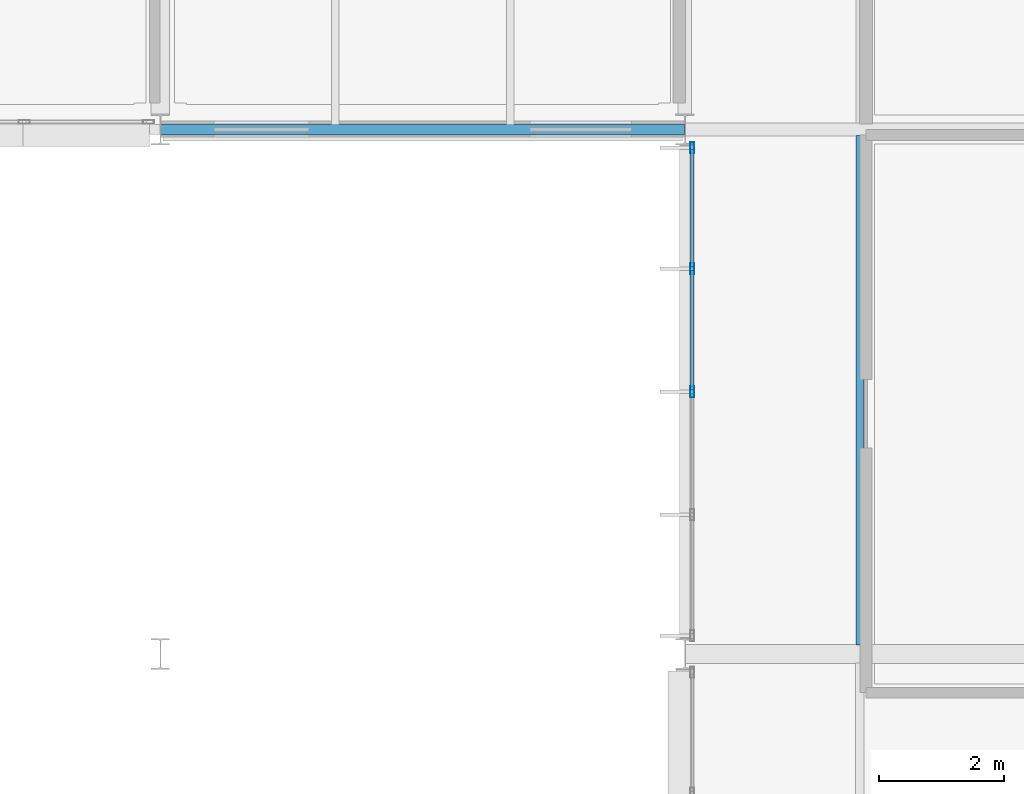
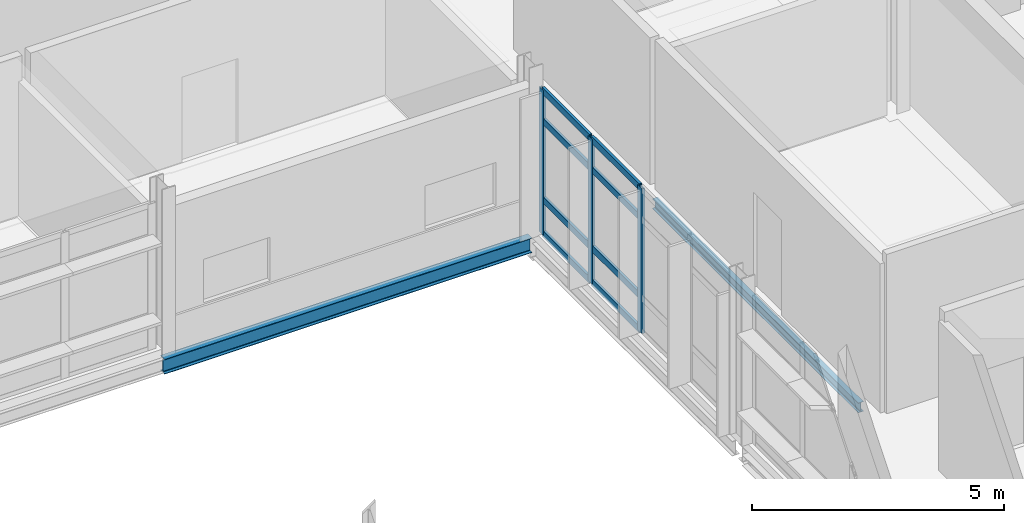
# One storey, part 92 of 131: 11 members, 2 beams, 1 element without a shape of its own.
"""IFC4 building model written with IfcOpenShell, lengths in metres."""

from ifc_helpers import new_model, si_unit, direction, frame, origin, origin_2d, place, context, subcontext, project, spatial, hollow_rectangle, i_section, extrude, material, material_profile, profile_set, type_object, element, aggregate, save


model = new_model("IFC4")

# Units and contexts
model_context = context("Model", 3, precision=1e-05, world=origin(), true_north=direction((0.0, 1.0)))
body_context = subcontext(model_context, "Body", "Model", "MODEL_VIEW")
ifc_project = project(units=[si_unit("LENGTHUNIT", "METRE"), si_unit("AREAUNIT", "SQUARE_METRE"), si_unit("VOLUMEUNIT", "CUBIC_METRE"), si_unit("PLANEANGLEUNIT", "RADIAN"), si_unit("MASSUNIT", "GRAM", prefix="KILO")], contexts=[model_context])

# Site, building, storey
site_placement = place(None, origin())
site = spatial("IfcSite", under=ifc_project, at=site_placement, CompositionType="ELEMENT")
building_placement = place(site_placement, origin())
building = spatial("IfcBuilding", under=site, at=building_placement, Name="Mersafa Astral City Hall", CompositionType="ELEMENT")
storey_placement = place(building_placement, frame((0.0, 0.0, 13.949951171875)))
storey = spatial("IfcBuildingStorey", under=building, at=storey_placement, Name="L03", CompositionType="ELEMENT", Elevation=13.949951171875)

# Curtain wall, members
ifc_material_1 = material(Name="Anodised bronze aluminium framing", Category="aluminium")
curtain_wall_type = type_object("IfcCurtainWallType", Name="ENV-CW-5", PredefinedType="USERDEFINED", material=ifc_material_1)
curtain_wall_placement = place(storey_placement, origin())
curtain_wall = element("IfcCurtainWall", 1, at=curtain_wall_placement, inside=storey, type_object=curtain_wall_type, Name="L03 Unitised solar curtain wall 160", ObjectType="UNITISED CURTAIN WALL", PredefinedType="USERDEFINED")
ifc_material_profile_1 = material_profile(ifc_material_1, hollow_rectangle(XDim=0.06005859375, YDim=0.179931640625, WallThickness=0.00390625, at=origin_2d()), Name="RHS 60x180x4")
ifc_profile_set_1 = profile_set([ifc_material_profile_1], Name="Anodised bronze aluminium framing")
member_type_1 = type_object("IfcMemberType", Name="ENV-CW-MUL-1", PredefinedType="MULLION", material=ifc_profile_set_1)
member_1_placement = place(storey_placement, frame((142.919921875, 117.30810546875, -0.001953125), z_axis=(0.0, 0.0, 1.0), x_axis=(1.0, 0.0, 0.0)))
member_1 = element("IfcMember", 2, at=member_1_placement, type_object=member_type_1, Name="CW-5 mullion 1", PredefinedType="MULLION", context=body_context, shape_type="SweptSolid", body=[
    extrude(hollow_rectangle(XDim=0.06005859375, YDim=0.179931640625, WallThickness=0.00390625, at=origin_2d()), origin(), (0.0, 0.0, 1.0), 3.50390625),
])
member_2_placement = place(storey_placement, frame((142.919921875, 115.368896484375, -0.001953125), z_axis=(0.0, 0.0, 1.0), x_axis=(1.0, 0.0, 0.0)))
member_2 = element("IfcMember", 3, at=member_2_placement, type_object=member_type_1, Name="CW-5 mullion 2", PredefinedType="MULLION", context=body_context, shape_type="SweptSolid", body=[
    extrude(hollow_rectangle(XDim=0.06005859375, YDim=0.179931640625, WallThickness=0.00390625, at=origin_2d()), origin(), (0.0, 0.0, 1.0), 3.50390625),
])
member_3_placement = place(storey_placement, frame((142.919921875, 113.39990234375, -0.001953125), z_axis=(0.0, 0.0, 1.0), x_axis=(1.0, 0.0, 0.0)))
member_3 = element("IfcMember", 4, at=member_3_placement, type_object=member_type_1, Name="CW-5 mullion 3", PredefinedType="MULLION", context=body_context, shape_type="SweptSolid", body=[
    extrude(hollow_rectangle(XDim=0.06005859375, YDim=0.179931640625, WallThickness=0.00390625, at=origin_2d()), origin(), (0.0, 0.0, 1.0), 3.50390625),
])
ifc_material_profile_2 = material_profile(ifc_material_1, hollow_rectangle(XDim=0.06005859375, YDim=0.159912109375, WallThickness=0.00390625, at=origin_2d()), Name="RHS 60x160x4")
ifc_profile_set_2 = profile_set([ifc_material_profile_2], Name="Anodised bronze aluminium framing")
member_type_2 = type_object("IfcMemberType", Name="ENV-CW-TRN-2", PredefinedType="USERDEFINED", material=ifc_profile_set_2)
member_4_placement = place(storey_placement, frame((142.919921875, 117.278076171875, 0.028076171875), z_axis=(0.0, -1.0, 0.0), x_axis=(1.0, 0.0, 0.0)))
member_4 = element("IfcMember", 5, at=member_4_placement, type_object=member_type_2, Name="CW-5 transom 1.1", ObjectType="TRANSOM", PredefinedType="USERDEFINED", context=body_context, shape_type="SweptSolid", body=[
    extrude(hollow_rectangle(XDim=0.06005859375, YDim=0.159912109375, WallThickness=0.00390625, at=origin_2d()), origin(), (0.0, 0.0, 1.0), 1.879150390625),
])
member_5_placement = place(storey_placement, frame((142.919921875, 117.278076171875, 0.85009765625), z_axis=(0.0, -1.0, 0.0), x_axis=(1.0, 0.0, 0.0)))
member_5 = element("IfcMember", 6, at=member_5_placement, type_object=member_type_2, Name="CW-5 transom 1.2", ObjectType="TRANSOM", PredefinedType="USERDEFINED", context=body_context, shape_type="SweptSolid", body=[
    extrude(hollow_rectangle(XDim=0.06005859375, YDim=0.159912109375, WallThickness=0.00390625, at=origin_2d()), origin(), (0.0, 0.0, 1.0), 1.879150390625),
])
member_6_placement = place(storey_placement, frame((142.919921875, 117.278076171875, 2.75), z_axis=(0.0, -1.0, 0.0), x_axis=(1.0, 0.0, 0.0)))
member_6 = element("IfcMember", 7, at=member_6_placement, type_object=member_type_2, Name="CW-5 transom 1.3", ObjectType="TRANSOM", PredefinedType="USERDEFINED", context=body_context, shape_type="SweptSolid", body=[
    extrude(hollow_rectangle(XDim=0.06005859375, YDim=0.159912109375, WallThickness=0.00390625, at=origin_2d()), origin(), (0.0, 0.0, 1.0), 1.879150390625),
])
member_7_placement = place(storey_placement, frame((142.919921875, 117.278076171875, 3.47216796875), z_axis=(0.0, -1.0, 0.0), x_axis=(1.0, 0.0, 0.0)))
member_7 = element("IfcMember", 8, at=member_7_placement, type_object=member_type_2, Name="CW-5 transom 1.4", ObjectType="TRANSOM", PredefinedType="USERDEFINED", context=body_context, shape_type="SweptSolid", body=[
    extrude(hollow_rectangle(XDim=0.06005859375, YDim=0.159912109375, WallThickness=0.00390625, at=origin_2d()), origin(), (0.0, 0.0, 1.0), 1.879150390625),
])
member_8_placement = place(storey_placement, frame((142.919921875, 115.339111328125, 0.028076171875), z_axis=(0.0, -1.0, 0.0), x_axis=(1.0, 0.0, 0.0)))
member_8 = element("IfcMember", 9, at=member_8_placement, type_object=member_type_2, Name="CW-5 transom 2.1", ObjectType="TRANSOM", PredefinedType="USERDEFINED", context=body_context, shape_type="SweptSolid", body=[
    extrude(hollow_rectangle(XDim=0.06005859375, YDim=0.159912109375, WallThickness=0.00390625, at=origin_2d()), origin(), (0.0, 0.0, 1.0), 1.9091796875),
])
member_9_placement = place(storey_placement, frame((142.919921875, 115.339111328125, 0.85009765625), z_axis=(0.0, -1.0, 0.0), x_axis=(1.0, 0.0, 0.0)))
member_9 = element("IfcMember", 10, at=member_9_placement, type_object=member_type_2, Name="CW-5 transom 2.2", ObjectType="TRANSOM", PredefinedType="USERDEFINED", context=body_context, shape_type="SweptSolid", body=[
    extrude(hollow_rectangle(XDim=0.06005859375, YDim=0.159912109375, WallThickness=0.00390625, at=origin_2d()), origin(), (0.0, 0.0, 1.0), 1.9091796875),
])
member_10_placement = place(storey_placement, frame((142.919921875, 115.339111328125, 2.75), z_axis=(0.0, -1.0, 0.0), x_axis=(1.0, 0.0, 0.0)))
member_10 = element("IfcMember", 11, at=member_10_placement, type_object=member_type_2, Name="CW-5 transom 2.3", ObjectType="TRANSOM", PredefinedType="USERDEFINED", context=body_context, shape_type="SweptSolid", body=[
    extrude(hollow_rectangle(XDim=0.06005859375, YDim=0.159912109375, WallThickness=0.00390625, at=origin_2d()), origin(), (0.0, 0.0, 1.0), 1.9091796875),
])
member_11_placement = place(storey_placement, frame((142.919921875, 115.339111328125, 3.47216796875), z_axis=(0.0, -1.0, 0.0), x_axis=(1.0, 0.0, 0.0)))
member_11 = element("IfcMember", 12, at=member_11_placement, type_object=member_type_2, Name="CW-5 transom 2.4", ObjectType="TRANSOM", PredefinedType="USERDEFINED", context=body_context, shape_type="SweptSolid", body=[
    extrude(hollow_rectangle(XDim=0.06005859375, YDim=0.159912109375, WallThickness=0.00390625, at=origin_2d()), origin(), (0.0, 0.0, 1.0), 1.9091796875),
])
aggregate(curtain_wall, [member_1, member_2, member_3, member_4, member_5, member_6, member_7, member_8, member_9, member_10, member_11])

# Beams
ifc_material_2 = material(Name="Steel S355", Category="steel")
ifc_material_profile_3 = material_profile(ifc_material_2, i_section(OverallWidth=0.1201171875, OverallDepth=0.239990234375, WebThickness=0.006103515625, FlangeThickness=0.009765625, FilletRadius=0.014892578125, at=origin_2d()), Name="IPE 240")
ifc_profile_set_3 = profile_set([ifc_material_profile_3], Name="Steel S355")
beam_type_1 = type_object("IfcBeamType", Name="STR-BM-JOIST-IPE240", PredefinedType="JOIST", material=ifc_profile_set_3)
beam_1_placement = place(storey_placement, frame((145.60009765625, 109.344970703125, -0.320068359375), z_axis=(0.0, 1.0, 0.0), x_axis=(-1.0, 0.0, 0.0)))
element("IfcBeam", 13, at=beam_1_placement, inside=storey, type_object=beam_type_1, Name="L03 Composite secondary floor joist 646", PredefinedType="JOIST", context=body_context, shape_type="SweptSolid", body=[
    extrude(i_section(OverallWidth=0.1201171875, OverallDepth=0.239990234375, WebThickness=0.006103515625, FlangeThickness=0.009765625, FilletRadius=0.014892578125, at=origin_2d()), origin(), (0.0, 0.0, 1.0), 8.155029296875),
])
ifc_material_profile_4 = material_profile(ifc_material_2, i_section(OverallWidth=0.169921875, OverallDepth=0.360107421875, WebThickness=0.008056640625, FlangeThickness=0.0126953125, FilletRadius=0.01806640625, at=origin_2d()), Name="IPE 360")
ifc_profile_set_4 = profile_set([ifc_material_profile_4], Name="Steel S355")
beam_type_2 = type_object("IfcBeamType", Name="STR-BM-SPANDREL-IPE360", PredefinedType="SPANDREL", material=ifc_profile_set_4)
beam_2_placement = place(storey_placement, frame((134.403076171875, 117.60009765625, -0.3798828125), z_axis=(1.0, 0.0, 0.0), x_axis=(0.0, 1.0, 0.0)))
element("IfcBeam", 14, at=beam_2_placement, inside=storey, type_object=beam_type_2, Name="L03 Primary girder X 16-14", PredefinedType="SPANDREL", context=body_context, shape_type="SweptSolid", body=[
    extrude(i_section(OverallWidth=0.169921875, OverallDepth=0.360107421875, WebThickness=0.008056640625, FlangeThickness=0.0126953125, FilletRadius=0.01806640625, at=origin_2d()), origin(), (0.0, 0.0, 1.0), 8.39404296875),
])

save(model, "model.ifc")
